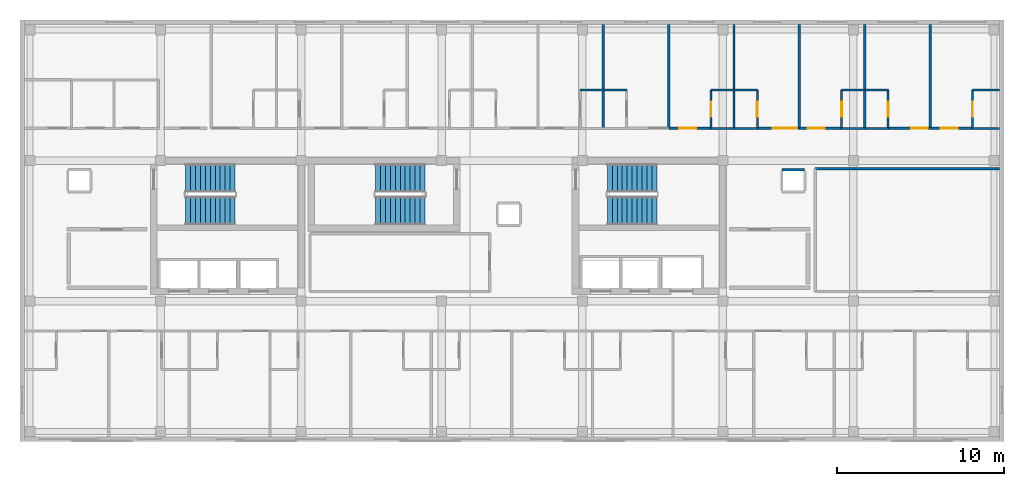
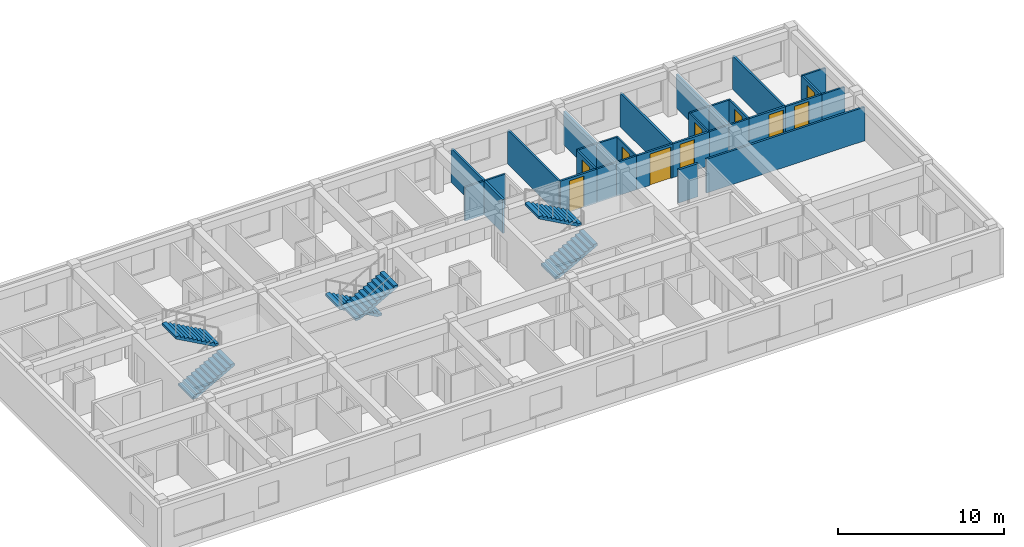
# One storey, part 7 of 9: 30 walls, 10 doors, 6 stair flights, 10 openings, 3 elements without a shape of their own.
"""IFC4 building model written with IfcOpenShell, lengths in metres."""

from ifc_helpers import new_model, si_unit, direction, frame, frame_2d, origin, place, context, subcontext, project, spatial, polyline, rectangle, outline, extrude, material, layer, layer_set, type_object, element, fill, aggregate, save


model = new_model("IFC4")

# Units and contexts
model_context = context("Model", 3, precision=1e-05, world=origin(), true_north=direction((0.0, 1.0)))
body_context = subcontext(model_context, "Body", "Model", "MODEL_VIEW")
ifc_project = project(units=[si_unit("LENGTHUNIT", "METRE"), si_unit("AREAUNIT", "SQUARE_METRE"), si_unit("VOLUMEUNIT", "CUBIC_METRE"), si_unit("PLANEANGLEUNIT", "RADIAN"), si_unit("MASSUNIT", "GRAM", prefix="KILO")], contexts=[model_context])

# Site, building, storey
site_placement = place(None, origin())
site = spatial("IfcSite", under=ifc_project, at=site_placement, CompositionType="ELEMENT")
building_placement = place(site_placement, origin())
building = spatial("IfcBuilding", under=site, at=building_placement, Name="Zayran Congress Hotel", CompositionType="ELEMENT")
storey_placement = place(building_placement, frame((0.0, 0.0, 37.199951171875)))
storey = spatial("IfcBuildingStorey", under=building, at=storey_placement, Name="L09", CompositionType="ELEMENT", Elevation=37.199951171875)

# Wall, opening, door
ifc_material_1 = material(Name="Hospitality guestroom acoustic partition", Category="gypsum")
ifc_layer_1 = layer(ifc_material_1, 0.139892578125)
ifc_layer_set_1 = layer_set([ifc_layer_1], Name="Hospitality guestroom acoustic partition")
wall_type_1 = type_object("IfcWallType", Name="WL-PT-140", PredefinedType="PARTITIONING", material=ifc_layer_set_1)
wall_1_placement = place(storey_placement, frame((55.5810546875, 27.530029296875, 0.0), z_axis=(0.0, 0.0, 1.0), x_axis=(1.0, 0.0, 0.0)))
wall_1 = element("IfcWall", 1, at=wall_1_placement, inside=storey, type_object=wall_type_1, Name="IW-L09-0807", PredefinedType="PARTITIONING", context=body_context, shape_type="SweptSolid", body=[
    extrude(rectangle(XDim=2.510009765625, YDim=0.139892578125, at=frame_2d((1.2548828125, 0.0))), origin(), (0.0, 0.0, 1.0), 2.47998046875),
])
opening_1_placement = place(wall_1_placement, frame((0.623046875, 0.0, 0.0)))
opening_1 = element("IfcOpeningElement", 2, at=opening_1_placement, cuts=wall_1, Name="Opening DR-GR-04", PredefinedType="OPENING", context=body_context, shape_type="SweptSolid", body=[
    extrude(rectangle(XDim=1.0, YDim=2.280029296875, at=frame_2d((0.5, 1.14013671875))), frame((0.0, 0.079833984375, 0.0), z_axis=(0.0, -1.0, 0.0), x_axis=(1.0, 0.0, 0.0)), (0.0, 0.0, 1.0), 0.159912109375),
])
ifc_material_2 = material(Name="Diplomatic walnut veneer entry door", Category="wood")
door_type_1 = type_object("IfcDoorType", Name="TP-DR-GR-04", OperationType="NOTDEFINED", PredefinedType="DOOR", material=ifc_material_2)
door_1_placement = place(opening_1_placement, origin())
door_1 = element("IfcDoor", 3, at=door_1_placement, inside=storey, type_object=door_type_1, Name="Guest Room L09-20 Door", OperationType="SINGLE_SWING_RIGHT", OverallHeight=2.280029296875, OverallWidth=1.0, PredefinedType="DOOR", context=body_context, shape_type="SweptSolid", body=[
    extrude(rectangle(XDim=1.0, YDim=2.280029296875, at=frame_2d((0.5, 1.14013671875))), frame((0.0, 0.02490234375, 0.0), z_axis=(0.0, -1.0, 0.0), x_axis=(1.0, 0.0, 0.0)), (0.0, 0.0, 1.0), 0.050048828125),
])
fill(opening_1, door_1)

wall_2_placement = place(storey_placement, frame((60.863037109375, 27.530029296875, 0.0), z_axis=(0.0, 0.0, 1.0), x_axis=(1.0, 0.0, 0.0)))
wall_2 = element("IfcWall", 4, at=wall_2_placement, inside=storey, type_object=wall_type_1, Name="IW-L09-0808", PredefinedType="PARTITIONING", context=body_context, shape_type="SweptSolid", body=[
    extrude(rectangle(XDim=2.509033203125, YDim=0.139892578125, at=frame_2d((1.25439453125, 0.0))), origin(), (0.0, 0.0, 1.0), 2.47998046875),
])
opening_2_placement = place(wall_2_placement, frame((0.9189453125, 0.0, 0.0)))
opening_2 = element("IfcOpeningElement", 5, at=opening_2_placement, cuts=wall_2, Name="Opening DR-ST-01", PredefinedType="OPENING", context=body_context, shape_type="SweptSolid", body=[
    extrude(rectangle(XDim=1.449951171875, YDim=2.300048828125, at=frame_2d((0.72509765625, 1.14990234375))), frame((0.0, 0.079833984375, 0.0), z_axis=(0.0, -1.0, 0.0), x_axis=(1.0, 0.0, 0.0)), (0.0, 0.0, 1.0), 0.159912109375),
])
ifc_material_3 = material(Name="Double walnut veneer suite entry door", Category="wood")
door_type_2 = type_object("IfcDoorType", Name="TP-DR-ST-01", OperationType="DOUBLE_DOOR_SINGLE_SWING", PredefinedType="DOOR", material=ifc_material_3)
door_2_placement = place(opening_2_placement, origin())
door_2 = element("IfcDoor", 6, at=door_2_placement, inside=storey, type_object=door_type_2, Name="Executive Suite L09-21 Door", OperationType="DOUBLE_DOOR_SINGLE_SWING", OverallHeight=2.300048828125, OverallWidth=1.449951171875, PredefinedType="DOOR", context=body_context, shape_type="SweptSolid", body=[
    extrude(rectangle(XDim=1.449951171875, YDim=2.300048828125, at=frame_2d((0.72509765625, 1.14990234375))), frame((0.0, 0.02490234375, 0.0), z_axis=(0.0, -1.0, 0.0), x_axis=(1.0, 0.0, 0.0)), (0.0, 0.0, 1.0), 0.050048828125),
])
fill(opening_2, door_2)

wall_3_placement = place(storey_placement, frame((63.39208984375, 27.530029296875, 0.0), z_axis=(0.0, 0.0, 1.0), x_axis=(1.0, 0.0, 0.0)))
wall_3 = element("IfcWall", 7, at=wall_3_placement, inside=storey, type_object=wall_type_1, Name="IW-L09-0809", PredefinedType="PARTITIONING", context=body_context, shape_type="SweptSolid", body=[
    extrude(rectangle(XDim=2.510009765625, YDim=0.139892578125, at=frame_2d((1.2548828125, 0.0))), origin(), (0.0, 0.0, 1.0), 2.47998046875),
])
opening_3_placement = place(wall_3_placement, frame((0.490966796875, 0.0, 0.0)))
opening_3 = element("IfcOpeningElement", 8, at=opening_3_placement, cuts=wall_3, Name="Opening DR-GR-04", PredefinedType="OPENING", context=body_context, shape_type="SweptSolid", body=[
    extrude(rectangle(XDim=1.0, YDim=2.280029296875, at=frame_2d((0.5, 1.14013671875))), frame((0.0, 0.079833984375, 0.0), z_axis=(0.0, -1.0, 0.0), x_axis=(1.0, 0.0, 0.0)), (0.0, 0.0, 1.0), 0.159912109375),
])
door_3_placement = place(opening_3_placement, origin())
door_3 = element("IfcDoor", 9, at=door_3_placement, inside=storey, type_object=door_type_1, Name="Guest Room L09-22 Door", OperationType="SINGLE_SWING_LEFT", OverallHeight=2.280029296875, OverallWidth=1.0, PredefinedType="DOOR", context=body_context, shape_type="SweptSolid", body=[
    extrude(rectangle(XDim=1.0, YDim=2.280029296875, at=frame_2d((0.5, 1.14013671875))), frame((0.0, 0.02490234375, 0.0), z_axis=(0.0, -1.0, 0.0), x_axis=(1.0, 0.0, 0.0)), (0.0, 0.0, 1.0), 0.050048828125),
])
fill(opening_3, door_3)

wall_4_placement = place(storey_placement, frame((68.674072265625, 27.530029296875, 0.0), z_axis=(0.0, 0.0, 1.0), x_axis=(1.0, 0.0, 0.0)))
wall_4 = element("IfcWall", 10, at=wall_4_placement, inside=storey, type_object=wall_type_1, Name="IW-L09-0810", PredefinedType="PARTITIONING", context=body_context, shape_type="SweptSolid", body=[
    extrude(rectangle(XDim=2.510009765625, YDim=0.139892578125, at=frame_2d((1.2548828125, 0.0))), origin(), (0.0, 0.0, 1.0), 2.47998046875),
])
opening_4_placement = place(wall_4_placement, frame((1.3701171875, 0.0, 0.0)))
opening_4 = element("IfcOpeningElement", 11, at=opening_4_placement, cuts=wall_4, Name="Opening DR-GR-04", PredefinedType="OPENING", context=body_context, shape_type="SweptSolid", body=[
    extrude(rectangle(XDim=1.0, YDim=2.280029296875, at=frame_2d((0.5, 1.14013671875))), frame((0.0, 0.079833984375, 0.0), z_axis=(0.0, -1.0, 0.0), x_axis=(1.0, 0.0, 0.0)), (0.0, 0.0, 1.0), 0.159912109375),
])
door_4_placement = place(opening_4_placement, origin())
door_4 = element("IfcDoor", 12, at=door_4_placement, inside=storey, type_object=door_type_1, Name="Guest Room L09-23 Door", OperationType="SINGLE_SWING_RIGHT", OverallHeight=2.280029296875, OverallWidth=1.0, PredefinedType="DOOR", context=body_context, shape_type="SweptSolid", body=[
    extrude(rectangle(XDim=1.0, YDim=2.280029296875, at=frame_2d((0.5, 1.14013671875))), frame((0.0, 0.02490234375, 0.0), z_axis=(0.0, -1.0, 0.0), x_axis=(1.0, 0.0, 0.0)), (0.0, 0.0, 1.0), 0.050048828125),
])
fill(opening_4, door_4)

wall_5_placement = place(storey_placement, frame((71.2041015625, 27.530029296875, 0.0), z_axis=(0.0, 0.0, 1.0), x_axis=(1.0, 0.0, 0.0)))
wall_5 = element("IfcWall", 13, at=wall_5_placement, inside=storey, type_object=wall_type_1, Name="IW-L09-0811", PredefinedType="PARTITIONING", context=body_context, shape_type="SweptSolid", body=[
    extrude(rectangle(XDim=2.510009765625, YDim=0.139892578125, at=frame_2d((1.2548828125, 0.0))), origin(), (0.0, 0.0, 1.0), 2.47998046875),
])
opening_5_placement = place(wall_5_placement, frame((0.623046875, 0.0, 0.0)))
opening_5 = element("IfcOpeningElement", 14, at=opening_5_placement, cuts=wall_5, Name="Opening DR-GR-04", PredefinedType="OPENING", context=body_context, shape_type="SweptSolid", body=[
    extrude(rectangle(XDim=1.0, YDim=2.280029296875, at=frame_2d((0.5, 1.14013671875))), frame((0.0, 0.079833984375, 0.0), z_axis=(0.0, -1.0, 0.0), x_axis=(1.0, 0.0, 0.0)), (0.0, 0.0, 1.0), 0.159912109375),
])
door_5_placement = place(opening_5_placement, origin())
door_5 = element("IfcDoor", 15, at=door_5_placement, inside=storey, type_object=door_type_1, Name="Guest Room L09-24 Door", OperationType="SINGLE_SWING_LEFT", OverallHeight=2.280029296875, OverallWidth=1.0, PredefinedType="DOOR", context=body_context, shape_type="SweptSolid", body=[
    extrude(rectangle(XDim=1.0, YDim=2.280029296875, at=frame_2d((0.5, 1.14013671875))), frame((0.0, 0.02490234375, 0.0), z_axis=(0.0, -1.0, 0.0), x_axis=(1.0, 0.0, 0.0)), (0.0, 0.0, 1.0), 0.050048828125),
])
fill(opening_5, door_5)

# Walls
wall_6_placement = place(storey_placement, frame((64.320068359375, 25.1201171875, 0.0), z_axis=(0.0, 0.0, 1.0), x_axis=(1.0, 0.0, 0.0)))
element("IfcWall", 16, at=wall_6_placement, inside=storey, type_object=wall_type_1, Name="IW-L09-2120", PredefinedType="PARTITIONING", context=body_context, shape_type="SweptSolid", body=[
    extrude(rectangle(XDim=11.0, YDim=0.139892578125, at=frame_2d((5.5, 0.0))), origin(), (0.0, 0.0, 1.0), 2.47998046875),
])
for number, where, z_axis, x_axis, name in (
    (17, (51.655029296875, 27.52001953125, 0.0), (0.0, 0.0, 1.0), (0.0, 1.0, 0.0), "IW-L09-2140"),
    (18, (55.56103515625, 27.52001953125, 0.0), (0.0, 0.0, 1.0), (0.0, 1.0, 0.0), "IW-L09-2141"),
    (19, (59.467041015625, 27.52001953125, 0.0), (0.0, 0.0, 1.0), (0.0, 1.0, 0.0), "IW-L09-2142"),
    (20, (63.3720703125, 27.52001953125, 0.0), (0.0, 0.0, 1.0), (0.0, 1.0, 0.0), "IW-L09-2143"),
    (21, (67.278076171875, 27.52001953125, 0.0), (0.0, 0.0, 1.0), (0.0, 1.0, 0.0), "IW-L09-2144"),
    (22, (71.18408203125, 27.52001953125, 0.0), (0.0, 0.0, 1.0), (0.0, 1.0, 0.0), "IW-L09-2145"),
):
    element("IfcWall", number, at=place(storey_placement, frame(where, z_axis=z_axis, x_axis=x_axis)), inside=storey, type_object=wall_type_1, Name=name, PredefinedType="PARTITIONING", context=body_context, shape_type="SweptSolid", body=[
        extrude(rectangle(XDim=6.199951171875, YDim=0.139892578125, at=frame_2d((3.10009765625, 0.0))), origin(), (0.0, 0.0, 1.0), 2.47998046875),
    ])
wall_7_placement = place(storey_placement, frame((63.68994140625, 25.050048828125, 0.0), z_axis=(0.0, 0.0, 1.0), x_axis=(-1.0, 0.0, 0.0)))
element("IfcWall", 23, at=wall_7_placement, inside=storey, type_object=wall_type_1, Name="RSWL-V5-L09-052-N", PredefinedType="PARTITIONING", context=body_context, shape_type="SweptSolid", body=[
    extrude(rectangle(XDim=1.35986328125, YDim=0.139892578125, at=frame_2d((0.679931640625, 0.0))), origin(), (0.0, 0.0, 1.0), 2.43994140625),
])

# Wall, opening, door
ifc_material_4 = material(Name="Moisture-resistant bathroom partition", Category="gypsum")
ifc_layer_2 = layer(ifc_material_4, 0.1201171875)
ifc_layer_set_2 = layer_set([ifc_layer_2], Name="Moisture-resistant bathroom partition")
wall_type_2 = type_object("IfcWallType", Name="WL-PT-120", PredefinedType="PARTITIONING", material=ifc_layer_set_2)
wall_8_placement = place(storey_placement, frame((58.091064453125, 27.52001953125, 0.0), z_axis=(0.0, 0.0, 1.0), x_axis=(0.0, 1.0, 0.0)))
wall_8 = element("IfcWall", 24, at=wall_8_placement, inside=storey, type_object=wall_type_2, Name="IW-L09-0290", PredefinedType="PARTITIONING", context=body_context, shape_type="SweptSolid", body=[
    extrude(rectangle(XDim=2.31005859375, YDim=0.1201171875, at=frame_2d((1.155029296875, 0.0))), origin(), (0.0, 0.0, 1.0), 2.47998046875),
])
opening_6_placement = place(wall_8_placement, frame((0.705078125, 0.0, 0.0)))
opening_6 = element("IfcOpeningElement", 25, at=opening_6_placement, cuts=wall_8, Name="Opening DR-BT-03", PredefinedType="OPENING", context=body_context, shape_type="SweptSolid", body=[
    extrude(rectangle(XDim=0.89990234375, YDim=2.179931640625, at=frame_2d((0.449951171875, 1.08984375))), frame((0.0, 0.070068359375, 0.0), z_axis=(0.0, -1.0, 0.0), x_axis=(1.0, 0.0, 0.0)), (0.0, 0.0, 1.0), 0.14013671875),
])
ifc_material_5 = material(Name="Suite oak en-suite bathroom door", Category="wood")
door_type_3 = type_object("IfcDoorType", Name="TP-DR-BT-03", OperationType="NOTDEFINED", PredefinedType="DOOR", material=ifc_material_5)
door_6_placement = place(opening_6_placement, origin())
door_6 = element("IfcDoor", 26, at=door_6_placement, inside=storey, type_object=door_type_3, Name="En-Suite Bathroom L09-20 Door", OperationType="SINGLE_SWING_LEFT", OverallHeight=2.179931640625, OverallWidth=0.89990234375, PredefinedType="DOOR", context=body_context, shape_type="SweptSolid", body=[
    extrude(rectangle(XDim=0.89990234375, YDim=2.179931640625, at=frame_2d((0.449951171875, 1.08984375))), frame((0.0, 0.02490234375, 0.0), z_axis=(0.0, -1.0, 0.0), x_axis=(1.0, 0.0, 0.0)), (0.0, 0.0, 1.0), 0.050048828125),
])
fill(opening_6, door_6)

wall_9_placement = place(storey_placement, frame((60.863037109375, 27.52001953125, 0.0), z_axis=(0.0, 0.0, 1.0), x_axis=(0.0, 1.0, 0.0)))
wall_9 = element("IfcWall", 27, at=wall_9_placement, inside=storey, type_object=wall_type_2, Name="IW-L09-0291", PredefinedType="PARTITIONING", context=body_context, shape_type="SweptSolid", body=[
    extrude(rectangle(XDim=2.31005859375, YDim=0.1201171875, at=frame_2d((1.155029296875, 0.0))), origin(), (0.0, 0.0, 1.0), 2.47998046875),
])
opening_7_placement = place(wall_9_placement, frame((0.705078125, 0.0, 0.0)))
opening_7 = element("IfcOpeningElement", 28, at=opening_7_placement, cuts=wall_9, Name="Opening DR-BT-03", PredefinedType="OPENING", context=body_context, shape_type="SweptSolid", body=[
    extrude(rectangle(XDim=0.89990234375, YDim=2.179931640625, at=frame_2d((0.449951171875, 1.08984375))), frame((0.0, 0.070068359375, 0.0), z_axis=(0.0, -1.0, 0.0), x_axis=(1.0, 0.0, 0.0)), (0.0, 0.0, 1.0), 0.14013671875),
])
door_7_placement = place(opening_7_placement, origin())
door_7 = element("IfcDoor", 29, at=door_7_placement, inside=storey, type_object=door_type_3, Name="En-Suite Bathroom L09-21 Door", OperationType="SINGLE_SWING_RIGHT", OverallHeight=2.179931640625, OverallWidth=0.89990234375, PredefinedType="DOOR", context=body_context, shape_type="SweptSolid", body=[
    extrude(rectangle(XDim=0.89990234375, YDim=2.179931640625, at=frame_2d((0.449951171875, 1.08984375))), frame((0.0, 0.02490234375, 0.0), z_axis=(0.0, -1.0, 0.0), x_axis=(1.0, 0.0, 0.0)), (0.0, 0.0, 1.0), 0.050048828125),
])
fill(opening_7, door_7)

wall_10_placement = place(storey_placement, frame((65.902099609375, 27.52001953125, 0.0), z_axis=(0.0, 0.0, 1.0), x_axis=(0.0, 1.0, 0.0)))
wall_10 = element("IfcWall", 30, at=wall_10_placement, inside=storey, type_object=wall_type_2, Name="IW-L09-0292", PredefinedType="PARTITIONING", context=body_context, shape_type="SweptSolid", body=[
    extrude(rectangle(XDim=2.31005859375, YDim=0.1201171875, at=frame_2d((1.155029296875, 0.0))), origin(), (0.0, 0.0, 1.0), 2.47998046875),
])
opening_8_placement = place(wall_10_placement, frame((0.705078125, 0.0, 0.0)))
opening_8 = element("IfcOpeningElement", 31, at=opening_8_placement, cuts=wall_10, Name="Opening DR-BT-03", PredefinedType="OPENING", context=body_context, shape_type="SweptSolid", body=[
    extrude(rectangle(XDim=0.89990234375, YDim=2.179931640625, at=frame_2d((0.449951171875, 1.08984375))), frame((0.0, 0.070068359375, 0.0), z_axis=(0.0, -1.0, 0.0), x_axis=(1.0, 0.0, 0.0)), (0.0, 0.0, 1.0), 0.14013671875),
])
door_8_placement = place(opening_8_placement, origin())
door_8 = element("IfcDoor", 32, at=door_8_placement, inside=storey, type_object=door_type_3, Name="En-Suite Bathroom L09-22 Door", OperationType="SINGLE_SWING_LEFT", OverallHeight=2.179931640625, OverallWidth=0.89990234375, PredefinedType="DOOR", context=body_context, shape_type="SweptSolid", body=[
    extrude(rectangle(XDim=0.89990234375, YDim=2.179931640625, at=frame_2d((0.449951171875, 1.08984375))), frame((0.0, 0.02490234375, 0.0), z_axis=(0.0, -1.0, 0.0), x_axis=(1.0, 0.0, 0.0)), (0.0, 0.0, 1.0), 0.050048828125),
])
fill(opening_8, door_8)

wall_11_placement = place(storey_placement, frame((68.674072265625, 27.52001953125, 0.0), z_axis=(0.0, 0.0, 1.0), x_axis=(0.0, 1.0, 0.0)))
wall_11 = element("IfcWall", 33, at=wall_11_placement, inside=storey, type_object=wall_type_2, Name="IW-L09-0293", PredefinedType="PARTITIONING", context=body_context, shape_type="SweptSolid", body=[
    extrude(rectangle(XDim=2.31005859375, YDim=0.1201171875, at=frame_2d((1.155029296875, 0.0))), origin(), (0.0, 0.0, 1.0), 2.47998046875),
])
opening_9_placement = place(wall_11_placement, frame((0.705078125, 0.0, 0.0)))
opening_9 = element("IfcOpeningElement", 34, at=opening_9_placement, cuts=wall_11, Name="Opening DR-BT-03", PredefinedType="OPENING", context=body_context, shape_type="SweptSolid", body=[
    extrude(rectangle(XDim=0.89990234375, YDim=2.179931640625, at=frame_2d((0.449951171875, 1.08984375))), frame((0.0, 0.070068359375, 0.0), z_axis=(0.0, -1.0, 0.0), x_axis=(1.0, 0.0, 0.0)), (0.0, 0.0, 1.0), 0.14013671875),
])
door_9_placement = place(opening_9_placement, origin())
door_9 = element("IfcDoor", 35, at=door_9_placement, inside=storey, type_object=door_type_3, Name="En-Suite Bathroom L09-23 Door", OperationType="SINGLE_SWING_RIGHT", OverallHeight=2.179931640625, OverallWidth=0.89990234375, PredefinedType="DOOR", context=body_context, shape_type="SweptSolid", body=[
    extrude(rectangle(XDim=0.89990234375, YDim=2.179931640625, at=frame_2d((0.449951171875, 1.08984375))), frame((0.0, 0.02490234375, 0.0), z_axis=(0.0, -1.0, 0.0), x_axis=(1.0, 0.0, 0.0)), (0.0, 0.0, 1.0), 0.050048828125),
])
fill(opening_9, door_9)

wall_12_placement = place(storey_placement, frame((73.714111328125, 27.52001953125, 0.0), z_axis=(0.0, 0.0, 1.0), x_axis=(0.0, 1.0, 0.0)))
wall_12 = element("IfcWall", 36, at=wall_12_placement, inside=storey, type_object=wall_type_2, Name="IW-L09-0294", PredefinedType="PARTITIONING", context=body_context, shape_type="SweptSolid", body=[
    extrude(rectangle(XDim=2.31005859375, YDim=0.1201171875, at=frame_2d((1.155029296875, 0.0))), origin(), (0.0, 0.0, 1.0), 2.47998046875),
])
opening_10_placement = place(wall_12_placement, frame((0.705078125, 0.0, 0.0)))
opening_10 = element("IfcOpeningElement", 37, at=opening_10_placement, cuts=wall_12, Name="Opening DR-BT-03", PredefinedType="OPENING", context=body_context, shape_type="SweptSolid", body=[
    extrude(rectangle(XDim=0.89990234375, YDim=2.179931640625, at=frame_2d((0.449951171875, 1.08984375))), frame((0.0, 0.070068359375, 0.0), z_axis=(0.0, -1.0, 0.0), x_axis=(1.0, 0.0, 0.0)), (0.0, 0.0, 1.0), 0.14013671875),
])
door_10_placement = place(opening_10_placement, origin())
door_10 = element("IfcDoor", 38, at=door_10_placement, inside=storey, type_object=door_type_3, Name="En-Suite Bathroom L09-24 Door", OperationType="SINGLE_SWING_LEFT", OverallHeight=2.179931640625, OverallWidth=0.89990234375, PredefinedType="DOOR", context=body_context, shape_type="SweptSolid", body=[
    extrude(rectangle(XDim=0.89990234375, YDim=2.179931640625, at=frame_2d((0.449951171875, 1.08984375))), frame((0.0, 0.02490234375, 0.0), z_axis=(0.0, -1.0, 0.0), x_axis=(1.0, 0.0, 0.0)), (0.0, 0.0, 1.0), 0.050048828125),
])
fill(opening_10, door_10)

# Walls
for number, where, z_axis, x_axis, name in (
    (39, (50.26904296875, 29.820068359375, 0.0), (0.0, 0.0, 1.0), (1.0, 0.0, 0.0), "IW-L09-1444"),
    (40, (51.6650390625, 29.820068359375, 0.0), (0.0, 0.0, 1.0), (1.0, 0.0, 0.0), "IW-L09-1446"),
    (41, (58.0810546875, 27.530029296875, 0.0), (0.0, 0.0, 1.0), (1.0, 0.0, 0.0), "IW-L09-1447"),
    (42, (58.0810546875, 29.820068359375, 0.0), (0.0, 0.0, 1.0), (1.0, 0.0, 0.0), "IW-L09-1448"),
    (43, (59.47705078125, 27.530029296875, 0.0), (0.0, 0.0, 1.0), (1.0, 0.0, 0.0), "IW-L09-1449"),
    (44, (59.47705078125, 29.820068359375, 0.0), (0.0, 0.0, 1.0), (1.0, 0.0, 0.0), "IW-L09-1450"),
    (45, (65.89208984375, 27.530029296875, 0.0), (0.0, 0.0, 1.0), (1.0, 0.0, 0.0), "IW-L09-1451"),
    (46, (65.89208984375, 29.820068359375, 0.0), (0.0, 0.0, 1.0), (1.0, 0.0, 0.0), "IW-L09-1452"),
    (47, (67.2880859375, 27.530029296875, 0.0), (0.0, 0.0, 1.0), (1.0, 0.0, 0.0), "IW-L09-1453"),
    (48, (67.2880859375, 29.820068359375, 0.0), (0.0, 0.0, 1.0), (1.0, 0.0, 0.0), "IW-L09-1454"),
):
    element("IfcWall", number, at=place(storey_placement, frame(where, z_axis=z_axis, x_axis=x_axis)), inside=storey, type_object=wall_type_2, Name=name, PredefinedType="PARTITIONING", context=body_context, shape_type="SweptSolid", body=[
        extrude(rectangle(XDim=1.39599609375, YDim=0.1201171875, at=frame_2d((0.697998046875, 0.0))), origin(), (0.0, 0.0, 1.0), 2.47998046875),
    ])
for number, where, z_axis, x_axis, name in (
    (49, (73.7041015625, 27.530029296875, 0.0), (0.0, 0.0, 1.0), (1.0, 0.0, 0.0), "IW-L09-1455"),
    (50, (73.7041015625, 29.820068359375, 0.0), (0.0, 0.0, 1.0), (1.0, 0.0, 0.0), "IW-L09-1456"),
):
    element("IfcWall", number, at=place(storey_placement, frame(where, z_axis=z_axis, x_axis=x_axis)), inside=storey, type_object=wall_type_2, Name=name, PredefinedType="PARTITIONING", context=body_context, shape_type="SweptSolid", body=[
        extrude(rectangle(XDim=1.615966796875, YDim=0.1201171875, at=frame_2d((0.80810546875, 0.0))), origin(), (0.0, 0.0, 1.0), 2.47998046875),
    ])

# Stair, stair flights
ifc_material_6 = material(Name="Concrete C32/40", Category="concrete")
stair_type = type_object("IfcStairType", Name="TP-STR-1700-36", PredefinedType="USERDEFINED", material=ifc_material_6)
stair_1_placement = place(storey_placement, origin())
stair_1 = element("IfcStair", 51, at=stair_1_placement, inside=storey, type_object=stair_type, Name="L09 ST-01", ObjectType="TWO_RETURN_STAIR", PredefinedType="USERDEFINED")
stair_flight_type = type_object("IfcStairFlightType", Name="TP-STF-1700-36", PredefinedType="STRAIGHT", material=ifc_material_6)
stair_flight_1_placement = place(storey_placement, frame((26.699951171875, 22.610107421875, 0.0), z_axis=(0.0, 0.0, 1.0), x_axis=(1.0, 0.0, 0.0)))
stair_flight_1 = element("IfcStairFlight", 52, at=stair_flight_1_placement, type_object=stair_flight_type, Name="ST-01 flight 1", NumberOfRisers=11, NumberOfTreads=10, PredefinedType="STRAIGHT", RiserHeight=0.16363636363636339, TreadLength=0.295, context=body_context, shape_type="SweptSolid", body=[
    extrude(outline(polyline([(0.0, 0.0), (0.0, 0.16357421875), (0.294921875, 0.16357421875), (0.294921875, 0.327392578125), (0.590087890625, 0.327392578125), (0.590087890625, 0.490966796875), (0.885009765625, 0.490966796875), (0.885009765625, 0.654541015625), (1.179931640625, 0.654541015625), (1.179931640625, 0.818115234375), (1.47509765625, 0.818115234375), (1.47509765625, 0.98193359375), (1.77001953125, 0.98193359375), (1.77001953125, 1.1455078125), (2.06494140625, 1.1455078125), (2.06494140625, 1.30908203125), (2.360107421875, 1.30908203125), (2.360107421875, 1.47265625), (2.655029296875, 1.47265625), (2.655029296875, 1.636474609375), (2.949951171875, 1.636474609375), (2.949951171875, 1.800048828125), (2.949951171875, 1.46484375), (0.30908203125, 0.0), (0.0, 0.0)])), frame((0.0, 0.85009765625, 0.0), z_axis=(0.0, -1.0, 0.0), x_axis=(1.0, 0.0, 0.0)), (0.0, 0.0, 1.0), 1.699951171875),
])
stair_flight_2_placement = place(storey_placement, frame((29.64990234375, 24.550048828125, 1.800048828125), z_axis=(0.0, 0.0, 1.0), x_axis=(-1.0, 0.0, 0.0)))
stair_flight_2 = element("IfcStairFlight", 53, at=stair_flight_2_placement, type_object=stair_flight_type, Name="ST-01 flight 2", NumberOfRisers=11, NumberOfTreads=10, PredefinedType="STRAIGHT", RiserHeight=0.16363636363636339, TreadLength=0.295, context=body_context, shape_type="SweptSolid", body=[
    extrude(outline(polyline([(0.0, 0.0), (0.0, 0.16357421875), (0.294921875, 0.16357421875), (0.294921875, 0.327392578125), (0.590087890625, 0.327392578125), (0.590087890625, 0.490966796875), (0.885009765625, 0.490966796875), (0.885009765625, 0.654541015625), (1.179931640625, 0.654541015625), (1.179931640625, 0.818115234375), (1.47509765625, 0.818115234375), (1.47509765625, 0.98193359375), (1.77001953125, 0.98193359375), (1.77001953125, 1.1455078125), (2.06494140625, 1.1455078125), (2.06494140625, 1.30908203125), (2.360107421875, 1.30908203125), (2.360107421875, 1.47265625), (2.655029296875, 1.47265625), (2.655029296875, 1.636474609375), (2.949951171875, 1.636474609375), (2.949951171875, 1.800048828125), (2.949951171875, 1.46484375), (0.30908203125, 0.0), (0.0, 0.0)])), frame((0.0, 0.85009765625, 0.0), z_axis=(0.0, -1.0, 0.0), x_axis=(1.0, 0.0, 0.0)), (0.0, 0.0, 1.0), 1.699951171875),
])
aggregate(stair_1, [stair_flight_1, stair_flight_2])

stair_2_placement = place(storey_placement, origin())
stair_2 = element("IfcStair", 54, at=stair_2_placement, inside=storey, type_object=stair_type, Name="L09 ST-02", ObjectType="TWO_RETURN_STAIR", PredefinedType="USERDEFINED")
stair_flight_3_placement = place(storey_placement, frame((51.89990234375, 22.610107421875, 0.0), z_axis=(0.0, 0.0, 1.0), x_axis=(1.0, 0.0, 0.0)))
stair_flight_3 = element("IfcStairFlight", 55, at=stair_flight_3_placement, type_object=stair_flight_type, Name="ST-02 flight 1", NumberOfRisers=11, NumberOfTreads=10, PredefinedType="STRAIGHT", RiserHeight=0.16363636363636339, TreadLength=0.295, context=body_context, shape_type="SweptSolid", body=[
    extrude(outline(polyline([(0.0, 0.0), (0.0, 0.16357421875), (0.294921875, 0.16357421875), (0.294921875, 0.327392578125), (0.590087890625, 0.327392578125), (0.590087890625, 0.490966796875), (0.885009765625, 0.490966796875), (0.885009765625, 0.654541015625), (1.179931640625, 0.654541015625), (1.179931640625, 0.818115234375), (1.47509765625, 0.818115234375), (1.47509765625, 0.98193359375), (1.77001953125, 0.98193359375), (1.77001953125, 1.1455078125), (2.06494140625, 1.1455078125), (2.06494140625, 1.30908203125), (2.360107421875, 1.30908203125), (2.360107421875, 1.47265625), (2.655029296875, 1.47265625), (2.655029296875, 1.636474609375), (2.949951171875, 1.636474609375), (2.949951171875, 1.800048828125), (2.949951171875, 1.46484375), (0.30908203125, 0.0), (0.0, 0.0)])), frame((0.0, 0.85009765625, 0.0), z_axis=(0.0, -1.0, 0.0), x_axis=(1.0, 0.0, 0.0)), (0.0, 0.0, 1.0), 1.699951171875),
])
stair_flight_4_placement = place(storey_placement, frame((54.85009765625, 24.550048828125, 1.800048828125), z_axis=(0.0, 0.0, 1.0), x_axis=(-1.0, 0.0, 0.0)))
stair_flight_4 = element("IfcStairFlight", 56, at=stair_flight_4_placement, type_object=stair_flight_type, Name="ST-02 flight 2", NumberOfRisers=11, NumberOfTreads=10, PredefinedType="STRAIGHT", RiserHeight=0.16363636363636339, TreadLength=0.295, context=body_context, shape_type="SweptSolid", body=[
    extrude(outline(polyline([(0.0, 0.0), (0.0, 0.16357421875), (0.294921875, 0.16357421875), (0.294921875, 0.327392578125), (0.590087890625, 0.327392578125), (0.590087890625, 0.490966796875), (0.885009765625, 0.490966796875), (0.885009765625, 0.654541015625), (1.179931640625, 0.654541015625), (1.179931640625, 0.818115234375), (1.47509765625, 0.818115234375), (1.47509765625, 0.98193359375), (1.77001953125, 0.98193359375), (1.77001953125, 1.1455078125), (2.06494140625, 1.1455078125), (2.06494140625, 1.30908203125), (2.360107421875, 1.30908203125), (2.360107421875, 1.47265625), (2.655029296875, 1.47265625), (2.655029296875, 1.636474609375), (2.949951171875, 1.636474609375), (2.949951171875, 1.800048828125), (2.949951171875, 1.46484375), (0.30908203125, 0.0), (0.0, 0.0)])), frame((0.0, 0.85009765625, 0.0), z_axis=(0.0, -1.0, 0.0), x_axis=(1.0, 0.0, 0.0)), (0.0, 0.0, 1.0), 1.699951171875),
])
aggregate(stair_2, [stair_flight_3, stair_flight_4])

stair_3_placement = place(storey_placement, origin())
stair_3 = element("IfcStair", 57, at=stair_3_placement, inside=storey, type_object=stair_type, Name="L09 ST-13", ObjectType="TWO_RETURN_STAIR", PredefinedType="USERDEFINED")
stair_flight_5_placement = place(storey_placement, frame((41.0, 24.550048828125, 0.0), z_axis=(0.0, 0.0, 1.0), x_axis=(-1.0, 0.0, 0.0)))
stair_flight_5 = element("IfcStairFlight", 58, at=stair_flight_5_placement, type_object=stair_flight_type, Name="ST-13 flight 1", NumberOfRisers=11, NumberOfTreads=10, PredefinedType="STRAIGHT", RiserHeight=0.16363636363636339, TreadLength=0.295, context=body_context, shape_type="SweptSolid", body=[
    extrude(outline(polyline([(0.0, 0.0), (0.0, 0.16357421875), (0.294921875, 0.16357421875), (0.294921875, 0.327392578125), (0.590087890625, 0.327392578125), (0.590087890625, 0.490966796875), (0.885009765625, 0.490966796875), (0.885009765625, 0.654541015625), (1.179931640625, 0.654541015625), (1.179931640625, 0.818115234375), (1.47509765625, 0.818115234375), (1.47509765625, 0.98193359375), (1.77001953125, 0.98193359375), (1.77001953125, 1.1455078125), (2.06494140625, 1.1455078125), (2.06494140625, 1.30908203125), (2.360107421875, 1.30908203125), (2.360107421875, 1.47265625), (2.655029296875, 1.47265625), (2.655029296875, 1.636474609375), (2.949951171875, 1.636474609375), (2.949951171875, 1.800048828125), (2.949951171875, 1.46484375), (0.30908203125, 0.0), (0.0, 0.0)])), frame((0.0, 0.85009765625, 0.0), z_axis=(0.0, -1.0, 0.0), x_axis=(1.0, 0.0, 0.0)), (0.0, 0.0, 1.0), 1.699951171875),
])
stair_flight_6_placement = place(storey_placement, frame((38.050048828125, 22.610107421875, 1.800048828125), z_axis=(0.0, 0.0, 1.0), x_axis=(1.0, 0.0, 0.0)))
stair_flight_6 = element("IfcStairFlight", 59, at=stair_flight_6_placement, type_object=stair_flight_type, Name="ST-13 flight 2", NumberOfRisers=11, NumberOfTreads=10, PredefinedType="STRAIGHT", RiserHeight=0.16363636363636339, TreadLength=0.295, context=body_context, shape_type="SweptSolid", body=[
    extrude(outline(polyline([(0.0, 0.0), (0.0, 0.16357421875), (0.294921875, 0.16357421875), (0.294921875, 0.327392578125), (0.590087890625, 0.327392578125), (0.590087890625, 0.490966796875), (0.885009765625, 0.490966796875), (0.885009765625, 0.654541015625), (1.179931640625, 0.654541015625), (1.179931640625, 0.818115234375), (1.47509765625, 0.818115234375), (1.47509765625, 0.98193359375), (1.77001953125, 0.98193359375), (1.77001953125, 1.1455078125), (2.06494140625, 1.1455078125), (2.06494140625, 1.30908203125), (2.360107421875, 1.30908203125), (2.360107421875, 1.47265625), (2.655029296875, 1.47265625), (2.655029296875, 1.636474609375), (2.949951171875, 1.636474609375), (2.949951171875, 1.800048828125), (2.949951171875, 1.46484375), (0.30908203125, 0.0), (0.0, 0.0)])), frame((0.0, 0.85009765625, 0.0), z_axis=(0.0, -1.0, 0.0), x_axis=(1.0, 0.0, 0.0)), (0.0, 0.0, 1.0), 1.699951171875),
])
aggregate(stair_3, [stair_flight_5, stair_flight_6])

save(model, "model.ifc")
